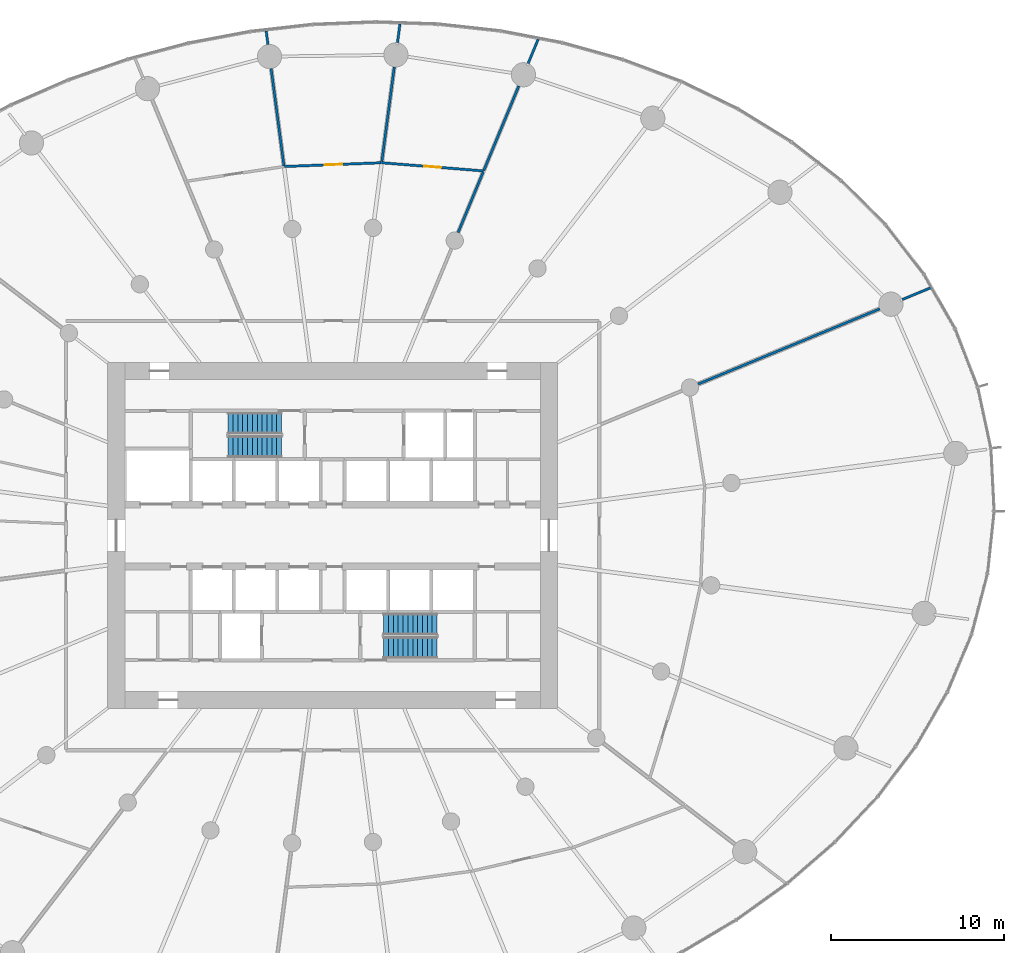
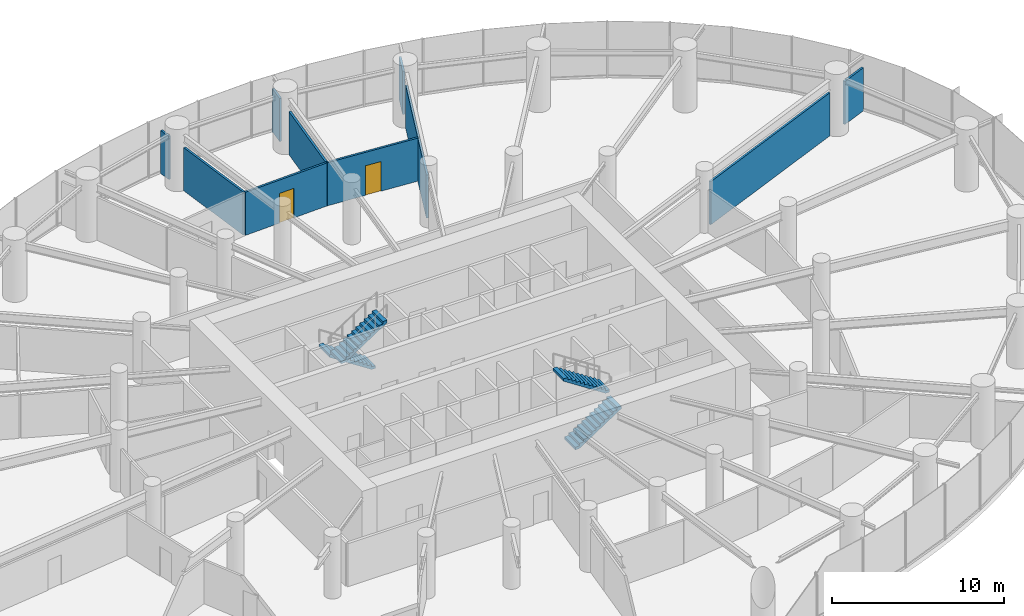
# One storey, part 15 of 18: 11 walls, 4 stair flights, 2 doors, 2 openings, 2 elements without a shape of their own.
"""IFC4 building model written with IfcOpenShell, lengths in metres."""

from ifc_helpers import new_model, si_unit, direction, frame, frame_2d, origin, place, context, subcontext, project, spatial, line, indexed_curve, rectangle, outline, extrude, source, transform, mapped, material, layer, layer_set, type_object, element, fill, aggregate, save


model = new_model("IFC4")

# Units and contexts
model_context = context("Model", 3, precision=1e-05, world=origin(), true_north=direction((0.0, 1.0)))
body_context = subcontext(model_context, "Body", "Model", "MODEL_VIEW")
ifc_project = project(units=[si_unit("LENGTHUNIT", "METRE"), si_unit("AREAUNIT", "SQUARE_METRE"), si_unit("VOLUMEUNIT", "CUBIC_METRE"), si_unit("PLANEANGLEUNIT", "RADIAN"), si_unit("MASSUNIT", "GRAM", prefix="KILO")], contexts=[model_context])

# Site, building, storey
site_placement = place(None, origin())
site = spatial("IfcSite", under=ifc_project, at=site_placement, CompositionType="ELEMENT")
building_placement = place(site_placement, origin())
building = spatial("IfcBuilding", under=site, at=building_placement, Name="Spindrift Exchange Tower", CompositionType="ELEMENT")
storey_placement = place(building_placement, frame((0.0, 0.0, 40.199951171875)))
storey = spatial("IfcBuildingStorey", under=building, at=storey_placement, Name="L09", CompositionType="ELEMENT", Elevation=40.199951171875)

# Wall
ifc_material_1 = material(Name="Fire-rated plasterboard partition", Category="gypsum")
ifc_layer = layer(ifc_material_1, 0.139892578125)
ifc_layer_set = layer_set([ifc_layer], Name="W-PART-140")
wall_type = type_object("IfcWallType", Name="W-PART-140", PredefinedType="PARTITIONING", material=ifc_layer_set)
wall_1_placement = place(storey_placement, frame((73.10595703125, 56.7421875, 0.0), z_axis=(0.0, 0.0, 1.0), x_axis=(0.923875075531, 0.382694192291, 0.0)))
element("IfcWall", 1, at=wall_1_placement, inside=storey, type_object=wall_type, Name="L09 Partition wall 65", PredefinedType="PARTITIONING", context=body_context, shape_type="SweptSolid", body=[
    extrude(rectangle(XDim=11.356201171875, YDim=0.139892578125, at=frame_2d((5.67822265625, 0.0))), origin(), (0.0, 0.0, 1.0), 3.050048828125),
])

# Wall, opening, door
wall_2_placement = place(storey_placement, frame((54.834228515625, 69.528564453125, 0.0), z_axis=(0.0, 0.0, 1.0), x_axis=(0.996792896181, -0.080024509517, 0.0)))
wall_2 = element("IfcWall", 2, at=wall_2_placement, inside=storey, type_object=wall_type, Name="L09 Partition wall 79", PredefinedType="PARTITIONING", context=body_context, shape_type="SweptSolid", body=[
    extrude(rectangle(XDim=5.906494140625, YDim=0.139892578125, at=frame_2d((2.953125, 0.0))), origin(), (0.0, 0.0, 1.0), 3.050048828125),
])
opening_1_placement = place(wall_2_placement, frame((2.456298828125, 0.0, 0.0)))
opening_1 = element("IfcOpeningElement", 3, at=opening_1_placement, cuts=wall_2, Name="Opening L09-D39", PredefinedType="OPENING", context=body_context, shape_type="SweptSolid", body=[
    extrude(rectangle(XDim=1.0, YDim=2.10009765625, at=frame_2d((0.5, 1.050048828125))), frame((0.0, 0.079833984375, 0.0), z_axis=(0.0, -1.0, 0.0), x_axis=(1.0, 0.0, 0.0)), (0.0, 0.0, 1.0), 0.159912109375),
])
ifc_material_2 = material(Name="Timber-core fire door", Category="wood")
door_type = type_object("IfcDoorType", Name="DR-ROOM-1000", OperationType="NOTDEFINED", PredefinedType="DOOR", material=ifc_material_2)
shared_shape = source(origin(), body_context, "Body", "SweptSolid", [
    extrude(rectangle(XDim=1.0, YDim=2.10009765625, at=frame_2d((0.5, 1.050048828125))), frame((0.0, 0.02490234375, 0.0), z_axis=(0.0, -1.0, 0.0), x_axis=(1.0, 0.0, 0.0)), (0.0, 0.0, 1.0), 0.050048828125),
])
door_1_placement = place(opening_1_placement, origin())
door_1 = element("IfcDoor", 4, at=door_1_placement, inside=storey, type_object=door_type, Name="L09 Door 39", OperationType="SINGLE_SWING_RIGHT", OverallHeight=2.10009765625, OverallWidth=1.0, PredefinedType="DOOR", context=body_context, shape_type="MappedRepresentation", body=[
    mapped(shared_shape, transform((0.0, 0.0, 0.0), scale=1.0)),
])
fill(opening_1, door_1)

# Wall
wall_3_placement = place(storey_placement, frame((49.1904296875, 69.340576171875, 0.0), z_axis=(0.0, 0.0, 1.0), x_axis=(-0.130528011015, 0.991444621923, 0.0)))
element("IfcWall", 5, at=wall_3_placement, inside=storey, type_object=wall_type, Name="L09 Partition wall 82", PredefinedType="PARTITIONING", context=body_context, shape_type="SweptSolid", body=[
    extrude(rectangle(XDim=5.671142578125, YDim=0.139892578125, at=frame_2d((2.83544921875, 0.0))), origin(), (0.0, 0.0, 1.0), 3.050048828125),
])

# Wall, opening, door
wall_4_placement = place(storey_placement, frame((49.224365234375, 69.31201171875, 0.0), z_axis=(0.0, 0.0, 1.0), x_axis=(0.999256193505, 0.038562413593, 0.0)))
wall_4 = element("IfcWall", 6, at=wall_4_placement, inside=storey, type_object=wall_type, Name="L09 Partition wall 83", PredefinedType="PARTITIONING", context=body_context, shape_type="SweptSolid", body=[
    extrude(rectangle(XDim=5.583984375, YDim=0.139892578125, at=frame_2d((2.7919921875, 0.0))), origin(), (0.0, 0.0, 1.0), 3.050048828125),
])
opening_2_placement = place(wall_4_placement, frame((2.334228515625, 0.0, 0.0)))
opening_2 = element("IfcOpeningElement", 7, at=opening_2_placement, cuts=wall_4, Name="Opening L09-D40", PredefinedType="OPENING", context=body_context, shape_type="SweptSolid", body=[
    extrude(rectangle(XDim=1.0, YDim=2.10009765625, at=frame_2d((0.5, 1.050048828125))), frame((0.0, 0.079833984375, 0.0), z_axis=(0.0, -1.0, 0.0), x_axis=(1.0, 0.0, 0.0)), (0.0, 0.0, 1.0), 0.159912109375),
])
door_2_placement = place(opening_2_placement, origin())
door_2 = element("IfcDoor", 8, at=door_2_placement, inside=storey, type_object=door_type, Name="L09 Door 40", OperationType="SINGLE_SWING_LEFT", OverallHeight=2.10009765625, OverallWidth=1.0, PredefinedType="DOOR", context=body_context, shape_type="MappedRepresentation", body=[
    mapped(shared_shape, transform((0.0, 0.0, 0.0), scale=1.0)),
])
fill(opening_2, door_2)

# Walls
wall_5_placement = place(storey_placement, frame((54.843505859375, 69.597900390625, 0.0), z_axis=(0.0, 0.0, 1.0), x_axis=(0.130518669044, 0.99144585179, 0.0)))
element("IfcWall", 9, at=wall_5_placement, inside=storey, type_object=wall_type, Name="L09 Partition wall 86", PredefinedType="PARTITIONING", context=body_context, shape_type="SweptSolid", body=[
    extrude(rectangle(XDim=5.512451171875, YDim=0.139892578125, at=frame_2d((2.75634765625, 0.0))), origin(), (0.0, 0.0, 1.0), 3.050048828125),
])
wall_6_placement = place(storey_placement, frame((60.733154296875, 69.083740234375, 0.0), z_axis=(0.0, 0.0, 1.0), x_axis=(0.382663625013, 0.923887736736, 0.0)))
element("IfcWall", 10, at=wall_6_placement, inside=storey, type_object=wall_type, Name="L09 Partition wall 89", PredefinedType="PARTITIONING", context=body_context, shape_type="SweptSolid", body=[
    extrude(rectangle(XDim=5.2783203125, YDim=0.139892578125, at=frame_2d((2.63916015625, 0.0))), origin(), (0.0, 0.0, 1.0), 3.050048828125),
])
wall_7_placement = place(storey_placement, frame((59.247802734375, 65.497802734375, 0.0), z_axis=(0.0, 0.0, 1.0), x_axis=(0.382705657047, 0.923870326434, 0.0)))
element("IfcWall", 11, at=wall_7_placement, inside=storey, type_object=wall_type, Name="L09 Partition wall 100", PredefinedType="PARTITIONING", context=body_context, shape_type="SweptSolid", body=[
    extrude(rectangle(XDim=3.77783203125, YDim=0.139892578125, at=frame_2d((1.888916015625, 0.0))), origin(), (0.0, 0.0, 1.0), 3.050048828125),
])
wall_8_placement = place(storey_placement, frame((84.900146484375, 61.627685546875, 0.0), z_axis=(0.0, 0.0, 1.0), x_axis=(0.92390604877, 0.382619410179, 0.0)))
element("IfcWall", 12, at=wall_8_placement, inside=storey, type_object=wall_type, Name="L09 Partition wall 124", PredefinedType="PARTITIONING", context=body_context, shape_type="SweptSolid", body=[
    extrude(rectangle(XDim=1.7724609375, YDim=0.139892578125, at=frame_2d((0.88623046875, 0.0))), origin(), (0.0, 0.0, 1.0), 3.050048828125),
])
wall_9_placement = place(storey_placement, frame((63.29248046875, 75.2626953125, 0.0), z_axis=(0.0, 0.0, 1.0), x_axis=(0.382746232653, 0.92385351728, 0.0)))
element("IfcWall", 13, at=wall_9_placement, inside=storey, type_object=wall_type, Name="L09 Partition wall 126", PredefinedType="PARTITIONING", context=body_context, shape_type="SweptSolid", body=[
    extrude(rectangle(XDim=1.512451171875, YDim=0.139892578125, at=frame_2d((0.75634765625, 0.0))), origin(), (0.0, 0.0, 1.0), 3.050048828125),
])
wall_10_placement = place(storey_placement, frame((55.746826171875, 76.459716796875, 0.0), z_axis=(0.0, 0.0, 1.0), x_axis=(0.130414214124, 0.991459597137, 0.0)))
element("IfcWall", 14, at=wall_10_placement, inside=storey, type_object=wall_type, Name="L09 Partition wall 132", PredefinedType="PARTITIONING", context=body_context, shape_type="SweptSolid", body=[
    extrude(rectangle(XDim=1.096923828125, YDim=0.139892578125, at=frame_2d((0.54833984375, 0.0))), origin(), (0.0, 0.0, 1.0), 3.050048828125),
])
wall_11_placement = place(storey_placement, frame((48.266357421875, 76.359619140625, 0.0), z_axis=(0.0, 0.0, 1.0), x_axis=(-0.13053490902, 0.991443713746, 0.0)))
element("IfcWall", 15, at=wall_11_placement, inside=storey, type_object=wall_type, Name="L09 Partition wall 133", PredefinedType="PARTITIONING", context=body_context, shape_type="SweptSolid", body=[
    extrude(rectangle(XDim=0.78564453125, YDim=0.139892578125, at=frame_2d((0.392822265625, 0.0))), origin(), (0.0, 0.0, 1.0), 3.050048828125),
])

# Stair, stair flights
ifc_material_3 = material(Name="Concrete 50 MPa", Category="concrete")
stair_type = type_object("IfcStairType", Name="ST-1250-R183", PredefinedType="HALF_TURN_STAIR", material=ifc_material_3)
stair_1_placement = place(storey_placement, origin())
stair_1 = element("IfcStair", 16, at=stair_1_placement, inside=storey, type_object=stair_type, Name="L09 Exit stair ST1", PredefinedType="HALF_TURN_STAIR")
stair_flight_type = type_object("IfcStairFlightType", Name="STF-1250-R183", PredefinedType="STRAIGHT", material=ifc_material_3)
stair_flight_1_placement = place(storey_placement, frame((49.050048828125, 54.47509765625, 0.0), z_axis=(0.0, 0.0, 1.0), x_axis=(-1.0, 0.0, 0.0)))
stair_flight_1 = element("IfcStairFlight", 17, at=stair_flight_1_placement, type_object=stair_flight_type, Name="ST1 flight 1", NumberOfRisers=12, NumberOfTreads=11, PredefinedType="STRAIGHT", RiserHeight=0.183333333, TreadLength=0.28, context=body_context, shape_type="SweptSolid", body=[
    extrude(outline(indexed_curve([(0.0, 0.0), (0.0, 0.18359375), (0.2802734375, 0.18359375), (0.2802734375, 0.3662109375), (0.5595703125, 0.3662109375), (0.5595703125, 0.5498046875), (0.83984375, 0.5498046875), (0.83984375, 0.7333984375), (1.1201171875, 0.7333984375), (1.1201171875, 0.9169921875), (1.400390625, 0.9169921875), (1.400390625, 1.099609375), (1.6796875, 1.099609375), (1.6796875, 1.283203125), (1.9599609375, 1.283203125), (1.9599609375, 1.466796875), (2.240234375, 1.466796875), (2.240234375, 1.650390625), (2.51953125, 1.650390625), (2.51953125, 1.8330078125), (2.7998046875, 1.8330078125), (2.7998046875, 2.0166015625), (3.080078125, 2.0166015625), (3.080078125, 2.2001953125), (3.080078125, 1.837890625), (0.2734375, 0.0)], segments=[line(1, 2, 3, 4, 5, 6, 7, 8, 9, 10, 11, 12, 13, 14, 15, 16, 17, 18, 19, 20, 21, 22, 23, 24, 25, 26, 1)], self_intersect=False)), frame((0.0, 0.625, 0.0), z_axis=(0.0, -1.0, 0.0), x_axis=(1.0, 0.0, 0.0)), (0.0, 0.0, 1.0), 1.25),
])
stair_flight_2_placement = place(storey_placement, frame((45.969970703125, 53.125, 2.199951171875), z_axis=(0.0, 0.0, 1.0), x_axis=(1.0, 0.0, 0.0)))
stair_flight_2 = element("IfcStairFlight", 18, at=stair_flight_2_placement, type_object=stair_flight_type, Name="ST1 flight 2", NumberOfRisers=12, NumberOfTreads=11, PredefinedType="STRAIGHT", RiserHeight=0.183333333, TreadLength=0.28, context=body_context, shape_type="SweptSolid", body=[
    extrude(outline(indexed_curve([(0.0, 0.0), (0.0, 0.18359375), (0.2802734375, 0.18359375), (0.2802734375, 0.3662109375), (0.5595703125, 0.3662109375), (0.5595703125, 0.5498046875), (0.83984375, 0.5498046875), (0.83984375, 0.7333984375), (1.1201171875, 0.7333984375), (1.1201171875, 0.9169921875), (1.400390625, 0.9169921875), (1.400390625, 1.099609375), (1.6796875, 1.099609375), (1.6796875, 1.283203125), (1.9599609375, 1.283203125), (1.9599609375, 1.466796875), (2.240234375, 1.466796875), (2.240234375, 1.650390625), (2.51953125, 1.650390625), (2.51953125, 1.8330078125), (2.7998046875, 1.8330078125), (2.7998046875, 2.0166015625), (3.080078125, 2.0166015625), (3.080078125, 2.2001953125), (3.080078125, 1.837890625), (0.2734375, 0.0)], segments=[line(1, 2, 3, 4, 5, 6, 7, 8, 9, 10, 11, 12, 13, 14, 15, 16, 17, 18, 19, 20, 21, 22, 23, 24, 25, 26, 1)], self_intersect=False)), frame((0.0, 0.625, 0.0), z_axis=(0.0, -1.0, 0.0), x_axis=(1.0, 0.0, 0.0)), (0.0, 0.0, 1.0), 1.25),
])
aggregate(stair_1, [stair_flight_1, stair_flight_2])

stair_2_placement = place(storey_placement, origin())
stair_2 = element("IfcStair", 19, at=stair_2_placement, inside=storey, type_object=stair_type, Name="L09 Exit stair ST2", PredefinedType="HALF_TURN_STAIR")
stair_flight_3_placement = place(storey_placement, frame((54.949951171875, 41.52490234375, 0.0), z_axis=(0.0, 0.0, 1.0), x_axis=(1.0, 0.0, 0.0)))
stair_flight_3 = element("IfcStairFlight", 20, at=stair_flight_3_placement, type_object=stair_flight_type, Name="ST2 flight 1", NumberOfRisers=12, NumberOfTreads=11, PredefinedType="STRAIGHT", RiserHeight=0.183333333, TreadLength=0.28, context=body_context, shape_type="SweptSolid", body=[
    extrude(outline(indexed_curve([(0.0, 0.0), (0.0, 0.18359375), (0.2802734375, 0.18359375), (0.2802734375, 0.3662109375), (0.5595703125, 0.3662109375), (0.5595703125, 0.5498046875), (0.83984375, 0.5498046875), (0.83984375, 0.7333984375), (1.1201171875, 0.7333984375), (1.1201171875, 0.9169921875), (1.400390625, 0.9169921875), (1.400390625, 1.099609375), (1.6796875, 1.099609375), (1.6796875, 1.283203125), (1.9599609375, 1.283203125), (1.9599609375, 1.466796875), (2.240234375, 1.466796875), (2.240234375, 1.650390625), (2.51953125, 1.650390625), (2.51953125, 1.8330078125), (2.7998046875, 1.8330078125), (2.7998046875, 2.0166015625), (3.080078125, 2.0166015625), (3.080078125, 2.2001953125), (3.080078125, 1.837890625), (0.2734375, 0.0)], segments=[line(1, 2, 3, 4, 5, 6, 7, 8, 9, 10, 11, 12, 13, 14, 15, 16, 17, 18, 19, 20, 21, 22, 23, 24, 25, 26, 1)], self_intersect=False)), frame((0.0, 0.625, 0.0), z_axis=(0.0, -1.0, 0.0), x_axis=(1.0, 0.0, 0.0)), (0.0, 0.0, 1.0), 1.25),
])
stair_flight_4_placement = place(storey_placement, frame((58.030029296875, 42.875, 2.199951171875), z_axis=(0.0, 0.0, 1.0), x_axis=(-1.0, 0.0, 0.0)))
stair_flight_4 = element("IfcStairFlight", 21, at=stair_flight_4_placement, type_object=stair_flight_type, Name="ST2 flight 2", NumberOfRisers=12, NumberOfTreads=11, PredefinedType="STRAIGHT", RiserHeight=0.183333333, TreadLength=0.28, context=body_context, shape_type="SweptSolid", body=[
    extrude(outline(indexed_curve([(0.0, 0.0), (0.0, 0.18359375), (0.2802734375, 0.18359375), (0.2802734375, 0.3662109375), (0.5595703125, 0.3662109375), (0.5595703125, 0.5498046875), (0.83984375, 0.5498046875), (0.83984375, 0.7333984375), (1.1201171875, 0.7333984375), (1.1201171875, 0.9169921875), (1.400390625, 0.9169921875), (1.400390625, 1.099609375), (1.6796875, 1.099609375), (1.6796875, 1.283203125), (1.9599609375, 1.283203125), (1.9599609375, 1.466796875), (2.240234375, 1.466796875), (2.240234375, 1.650390625), (2.51953125, 1.650390625), (2.51953125, 1.8330078125), (2.7998046875, 1.8330078125), (2.7998046875, 2.0166015625), (3.080078125, 2.0166015625), (3.080078125, 2.2001953125), (3.080078125, 1.837890625), (0.2734375, 0.0)], segments=[line(1, 2, 3, 4, 5, 6, 7, 8, 9, 10, 11, 12, 13, 14, 15, 16, 17, 18, 19, 20, 21, 22, 23, 24, 25, 26, 1)], self_intersect=False)), frame((0.0, 0.625, 0.0), z_axis=(0.0, -1.0, 0.0), x_axis=(1.0, 0.0, 0.0)), (0.0, 0.0, 1.0), 1.25),
])
aggregate(stair_2, [stair_flight_3, stair_flight_4])

save(model, "model.ifc")
